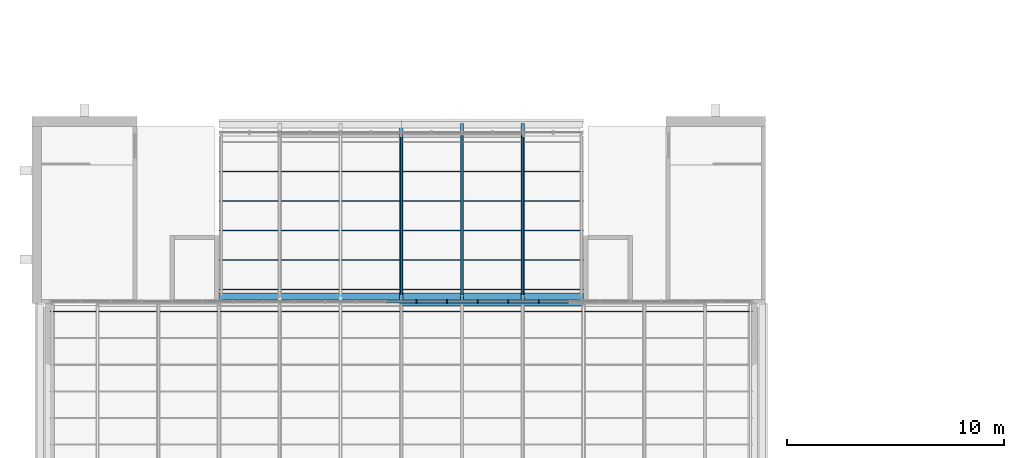
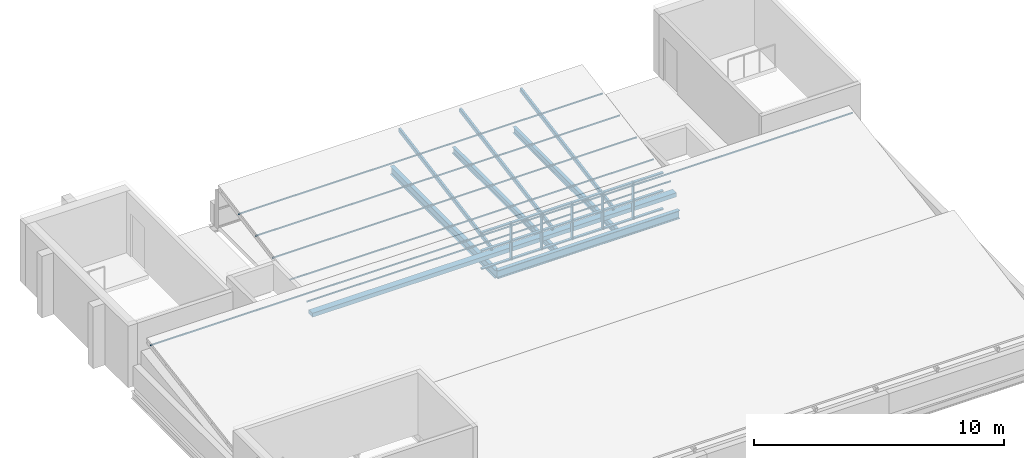
# One storey, part 12 of 42: 33 members, 4 beams, 1 element without a shape of its own.
"""IFC4 building model written with IfcOpenShell, lengths in metres."""

from ifc_helpers import new_model, si_unit, direction, frame, origin, origin_2d, place, context, subcontext, project, spatial, rectangle, hollow_rectangle, i_section, extrude, material, layer, layer_set, material_profile, profile_set, type_object, element, aggregate, save


model = new_model("IFC4")

# Units and contexts
model_context = context("Model", 3, precision=1e-05, world=origin(), true_north=direction((0.0, 1.0)))
body_context = subcontext(model_context, "Body", "Model", "MODEL_VIEW")
ifc_project = project(units=[si_unit("LENGTHUNIT", "METRE"), si_unit("AREAUNIT", "SQUARE_METRE"), si_unit("VOLUMEUNIT", "CUBIC_METRE"), si_unit("PLANEANGLEUNIT", "RADIAN"), si_unit("MASSUNIT", "GRAM", prefix="KILO")], contexts=[model_context])

# Site, building, storey
site_placement = place(None, origin())
site = spatial("IfcSite", under=ifc_project, at=site_placement, CompositionType="ELEMENT")
building_placement = place(site_placement, origin())
building = spatial("IfcBuilding", under=site, at=building_placement, Name="Ardhachandra Cancer Care Centre", CompositionType="ELEMENT")
storey_placement = place(building_placement, frame((0.0, 0.0, 22.5)))
storey = spatial("IfcBuildingStorey", under=building, at=storey_placement, Name="L05", CompositionType="ELEMENT", Elevation=22.5)

# Beams
ifc_material_1 = material(Name="Steel E350 (IS 2062)", Category="steel")
ifc_material_profile_1 = material_profile(ifc_material_1, i_section(OverallWidth=0.152099609375, OverallDepth=0.303955078125, WebThickness=0.008056640625, FlangeThickness=0.0126953125, FilletRadius=0.014892578125, at=origin_2d()), Name="NPB 300x150x49.32")
ifc_profile_set_1 = profile_set([ifc_material_profile_1], Name="Steel E350 (IS 2062)")
beam_type_1 = type_object("IfcBeamType", Name="Beam NPB 300x150x49.32", PredefinedType="BEAM", material=ifc_profile_set_1)
for number, where, z_axis, x_axis, name in (
    (1, (30.39990234375, 88.2900390625, -0.35205078125), (0.0, 1.0, 0.0), (-1.0, 0.0, 0.0), "Secondary K3-L3@2800"),
    (2, (33.199951171875, 88.2900390625, -0.35205078125), (0.0, 1.0, 0.0), (-1.0, 0.0, 0.0), "Secondary K3-L3@5600"),
):
    element("IfcBeam", number, at=place(storey_placement, frame(where, z_axis=z_axis, x_axis=x_axis)), inside=storey, type_object=beam_type_1, Name=name, PredefinedType="BEAM", context=body_context, shape_type="SweptSolid", body=[
        extrude(i_section(OverallWidth=0.152099609375, OverallDepth=0.303955078125, WebThickness=0.008056640625, FlangeThickness=0.0126953125, FilletRadius=0.014892578125, at=origin_2d()), origin(), (0.0, 0.0, 1.0), 8.223876953125),
    ])
ifc_material_2 = material(Name="Steel E350 (IS 2062)", Category="steel")
ifc_material_profile_2 = material_profile(ifc_material_2, i_section(OverallWidth=0.179931640625, OverallDepth=0.39990234375, WebThickness=0.008544921875, FlangeThickness=0.013427734375, FilletRadius=0.02099609375, at=origin_2d()), Name="NPB 400x180x66.30")
ifc_profile_set_2 = profile_set([ifc_material_profile_2], Name="Steel E350 (IS 2062)")
beam_type_2 = type_object("IfcBeamType", Name="Beam NPB 400x180x66.30", PredefinedType="BEAM", material=ifc_profile_set_2)
beam_1_placement = place(storey_placement, frame((27.60009765625, 88.199951171875, -0.39990234375), z_axis=(1.0, 0.0, 0.0), x_axis=(0.0, 1.0, 0.0)))
element("IfcBeam", 3, at=beam_1_placement, inside=storey, type_object=beam_type_2, Name="Girder K3-K4", PredefinedType="BEAM", context=body_context, shape_type="SweptSolid", body=[
    extrude(i_section(OverallWidth=0.179931640625, OverallDepth=0.39990234375, WebThickness=0.008544921875, FlangeThickness=0.013427734375, FilletRadius=0.02099609375, at=origin_2d()), origin(), (0.0, 0.0, 1.0), 8.39990234375),
])
beam_2_placement = place(storey_placement, frame((27.60009765625, 88.199951171875, -0.39990234375), z_axis=(0.0, 1.0, 0.0), x_axis=(-1.0, 0.0, 0.0)))
element("IfcBeam", 4, at=beam_2_placement, inside=storey, type_object=beam_type_2, Name="Girder K3-L3", PredefinedType="BEAM", context=body_context, shape_type="SweptSolid", body=[
    extrude(i_section(OverallWidth=0.179931640625, OverallDepth=0.39990234375, WebThickness=0.008544921875, FlangeThickness=0.013427734375, FilletRadius=0.02099609375, at=origin_2d()), origin(), (0.0, 0.0, 1.0), 8.400146484375),
])

# Curtain wall, members
ifc_material_3 = material(Name="Aluminium extrusion", Category="aluminium")
ifc_layer = layer(ifc_material_3, 0.14990234375)
ifc_layer_set = layer_set([ifc_layer], Name="Aluminium extrusion")
curtain_wall_type = type_object("IfcCurtainWallType", Name="Curtain wall run", PredefinedType="NOTDEFINED", material=ifc_layer_set)
curtain_wall_placement = place(storey_placement, origin())
curtain_wall = element("IfcCurtainWall", 5, at=curtain_wall_placement, inside=storey, type_object=curtain_wall_type, Name="Curtain wall L05 n/0011400_0088300", PredefinedType="NOTDEFINED")
ifc_material_4 = material(Name="Aluminium extrusion", Category="aluminium")
ifc_material_profile_3 = material_profile(ifc_material_4, rectangle(XDim=0.159912109375, YDim=0.06005859375, at=origin_2d()), Name="Curtain wall mullion 60 x 160")
ifc_profile_set_3 = profile_set([ifc_material_profile_3], Name="Aluminium extrusion")
member_type_1 = type_object("IfcMemberType", Name="Curtain wall mullion 60 x 160", PredefinedType="MULLION", material=ifc_profile_set_3)
member_1_placement = place(storey_placement, frame((28.304443359375, 88.300048828125, 0.0), z_axis=(0.0, 0.0, 1.0), x_axis=(0.0, 1.0, 0.0)))
member_1 = element("IfcMember", 6, at=member_1_placement, type_object=member_type_1, Name="CW mullion 13", PredefinedType="MULLION", context=body_context, shape_type="SweptSolid", body=[
    extrude(rectangle(XDim=0.159912109375, YDim=0.06005859375, at=origin_2d()), origin(), (0.0, 0.0, 1.0), 1.820068359375),
])
member_2_placement = place(storey_placement, frame((29.713134765625, 88.300048828125, 0.0), z_axis=(0.0, 0.0, 1.0), x_axis=(0.0, 1.0, 0.0)))
member_2 = element("IfcMember", 7, at=member_2_placement, type_object=member_type_1, Name="CW mullion 14", PredefinedType="MULLION", context=body_context, shape_type="SweptSolid", body=[
    extrude(rectangle(XDim=0.159912109375, YDim=0.06005859375, at=origin_2d()), origin(), (0.0, 0.0, 1.0), 1.820068359375),
])
member_3_placement = place(storey_placement, frame((31.121826171875, 88.300048828125, 0.0), z_axis=(0.0, 0.0, 1.0), x_axis=(0.0, 1.0, 0.0)))
member_3 = element("IfcMember", 8, at=member_3_placement, type_object=member_type_1, Name="CW mullion 15", PredefinedType="MULLION", context=body_context, shape_type="SweptSolid", body=[
    extrude(rectangle(XDim=0.159912109375, YDim=0.06005859375, at=origin_2d()), origin(), (0.0, 0.0, 1.0), 1.820068359375),
])
member_4_placement = place(storey_placement, frame((32.530517578125, 88.300048828125, 0.0), z_axis=(0.0, 0.0, 1.0), x_axis=(0.0, 1.0, 0.0)))
member_4 = element("IfcMember", 9, at=member_4_placement, type_object=member_type_1, Name="CW mullion 16", PredefinedType="MULLION", context=body_context, shape_type="SweptSolid", body=[
    extrude(rectangle(XDim=0.159912109375, YDim=0.06005859375, at=origin_2d()), origin(), (0.0, 0.0, 1.0), 1.820068359375),
])
member_5_placement = place(storey_placement, frame((33.939208984375, 88.300048828125, 0.0), z_axis=(0.0, 0.0, 1.0), x_axis=(0.0, 1.0, 0.0)))
member_5 = element("IfcMember", 10, at=member_5_placement, type_object=member_type_1, Name="CW mullion 17", PredefinedType="MULLION", context=body_context, shape_type="SweptSolid", body=[
    extrude(rectangle(XDim=0.159912109375, YDim=0.06005859375, at=origin_2d()), origin(), (0.0, 0.0, 1.0), 1.820068359375),
])
ifc_material_5 = material(Name="Aluminium extrusion", Category="aluminium")
ifc_material_profile_4 = material_profile(ifc_material_5, rectangle(XDim=0.1201171875, YDim=0.06005859375, at=origin_2d()), Name="Curtain wall transom 60 x 120")
ifc_profile_set_4 = profile_set([ifc_material_profile_4], Name="Aluminium extrusion")
member_type_2 = type_object("IfcMemberType", Name="Curtain wall transom 60 x 120", PredefinedType="USERDEFINED", material=ifc_profile_set_4)
member_6_placement = place(storey_placement, frame((26.925537109375, 88.300048828125, 0.030029296875), z_axis=(1.0, 0.0, 0.0), x_axis=(0.0, 1.0, 0.0)))
member_6 = element("IfcMember", 11, at=member_6_placement, type_object=member_type_2, Name="CW transom 12.1", ObjectType="TRANSOM", PredefinedType="USERDEFINED", context=body_context, shape_type="SweptSolid", body=[
    extrude(rectangle(XDim=0.1201171875, YDim=0.06005859375, at=origin_2d()), origin(), (0.0, 0.0, 1.0), 1.348876953125),
])
member_7_placement = place(storey_placement, frame((26.925537109375, 88.300048828125, 0.909912109375), z_axis=(1.0, 0.0, 0.0), x_axis=(0.0, 1.0, 0.0)))
member_7 = element("IfcMember", 12, at=member_7_placement, type_object=member_type_2, Name="CW transom 12.2", ObjectType="TRANSOM", PredefinedType="USERDEFINED", context=body_context, shape_type="SweptSolid", body=[
    extrude(rectangle(XDim=0.1201171875, YDim=0.06005859375, at=origin_2d()), origin(), (0.0, 0.0, 1.0), 1.348876953125),
])
member_8_placement = place(storey_placement, frame((26.925537109375, 88.300048828125, 1.7900390625), z_axis=(1.0, 0.0, 0.0), x_axis=(0.0, 1.0, 0.0)))
member_8 = element("IfcMember", 13, at=member_8_placement, type_object=member_type_2, Name="CW transom 12.3", ObjectType="TRANSOM", PredefinedType="USERDEFINED", context=body_context, shape_type="SweptSolid", body=[
    extrude(rectangle(XDim=0.1201171875, YDim=0.06005859375, at=origin_2d()), origin(), (0.0, 0.0, 1.0), 1.348876953125),
])
member_9_placement = place(storey_placement, frame((28.334228515625, 88.300048828125, 0.030029296875), z_axis=(1.0, 0.0, 0.0), x_axis=(0.0, 1.0, 0.0)))
member_9 = element("IfcMember", 14, at=member_9_placement, type_object=member_type_2, Name="CW transom 13.1", ObjectType="TRANSOM", PredefinedType="USERDEFINED", context=body_context, shape_type="SweptSolid", body=[
    extrude(rectangle(XDim=0.1201171875, YDim=0.06005859375, at=origin_2d()), origin(), (0.0, 0.0, 1.0), 1.348876953125),
])
member_10_placement = place(storey_placement, frame((28.334228515625, 88.300048828125, 0.909912109375), z_axis=(1.0, 0.0, 0.0), x_axis=(0.0, 1.0, 0.0)))
member_10 = element("IfcMember", 15, at=member_10_placement, type_object=member_type_2, Name="CW transom 13.2", ObjectType="TRANSOM", PredefinedType="USERDEFINED", context=body_context, shape_type="SweptSolid", body=[
    extrude(rectangle(XDim=0.1201171875, YDim=0.06005859375, at=origin_2d()), origin(), (0.0, 0.0, 1.0), 1.348876953125),
])
member_11_placement = place(storey_placement, frame((28.334228515625, 88.300048828125, 1.7900390625), z_axis=(1.0, 0.0, 0.0), x_axis=(0.0, 1.0, 0.0)))
member_11 = element("IfcMember", 16, at=member_11_placement, type_object=member_type_2, Name="CW transom 13.3", ObjectType="TRANSOM", PredefinedType="USERDEFINED", context=body_context, shape_type="SweptSolid", body=[
    extrude(rectangle(XDim=0.1201171875, YDim=0.06005859375, at=origin_2d()), origin(), (0.0, 0.0, 1.0), 1.348876953125),
])
member_12_placement = place(storey_placement, frame((29.7431640625, 88.300048828125, 0.030029296875), z_axis=(1.0, 0.0, 0.0), x_axis=(0.0, 1.0, 0.0)))
member_12 = element("IfcMember", 17, at=member_12_placement, type_object=member_type_2, Name="CW transom 14.1", ObjectType="TRANSOM", PredefinedType="USERDEFINED", context=body_context, shape_type="SweptSolid", body=[
    extrude(rectangle(XDim=0.1201171875, YDim=0.06005859375, at=origin_2d()), origin(), (0.0, 0.0, 1.0), 1.3486328125),
])
member_13_placement = place(storey_placement, frame((29.7431640625, 88.300048828125, 0.909912109375), z_axis=(1.0, 0.0, 0.0), x_axis=(0.0, 1.0, 0.0)))
member_13 = element("IfcMember", 18, at=member_13_placement, type_object=member_type_2, Name="CW transom 14.2", ObjectType="TRANSOM", PredefinedType="USERDEFINED", context=body_context, shape_type="SweptSolid", body=[
    extrude(rectangle(XDim=0.1201171875, YDim=0.06005859375, at=origin_2d()), origin(), (0.0, 0.0, 1.0), 1.3486328125),
])
member_14_placement = place(storey_placement, frame((29.7431640625, 88.300048828125, 1.7900390625), z_axis=(1.0, 0.0, 0.0), x_axis=(0.0, 1.0, 0.0)))
member_14 = element("IfcMember", 19, at=member_14_placement, type_object=member_type_2, Name="CW transom 14.3", ObjectType="TRANSOM", PredefinedType="USERDEFINED", context=body_context, shape_type="SweptSolid", body=[
    extrude(rectangle(XDim=0.1201171875, YDim=0.06005859375, at=origin_2d()), origin(), (0.0, 0.0, 1.0), 1.3486328125),
])
member_15_placement = place(storey_placement, frame((31.15185546875, 88.300048828125, 0.030029296875), z_axis=(1.0, 0.0, 0.0), x_axis=(0.0, 1.0, 0.0)))
member_15 = element("IfcMember", 20, at=member_15_placement, type_object=member_type_2, Name="CW transom 15.1", ObjectType="TRANSOM", PredefinedType="USERDEFINED", context=body_context, shape_type="SweptSolid", body=[
    extrude(rectangle(XDim=0.1201171875, YDim=0.06005859375, at=origin_2d()), origin(), (0.0, 0.0, 1.0), 1.3486328125),
])
member_16_placement = place(storey_placement, frame((31.15185546875, 88.300048828125, 0.909912109375), z_axis=(1.0, 0.0, 0.0), x_axis=(0.0, 1.0, 0.0)))
member_16 = element("IfcMember", 21, at=member_16_placement, type_object=member_type_2, Name="CW transom 15.2", ObjectType="TRANSOM", PredefinedType="USERDEFINED", context=body_context, shape_type="SweptSolid", body=[
    extrude(rectangle(XDim=0.1201171875, YDim=0.06005859375, at=origin_2d()), origin(), (0.0, 0.0, 1.0), 1.3486328125),
])
member_17_placement = place(storey_placement, frame((31.15185546875, 88.300048828125, 1.7900390625), z_axis=(1.0, 0.0, 0.0), x_axis=(0.0, 1.0, 0.0)))
member_17 = element("IfcMember", 22, at=member_17_placement, type_object=member_type_2, Name="CW transom 15.3", ObjectType="TRANSOM", PredefinedType="USERDEFINED", context=body_context, shape_type="SweptSolid", body=[
    extrude(rectangle(XDim=0.1201171875, YDim=0.06005859375, at=origin_2d()), origin(), (0.0, 0.0, 1.0), 1.3486328125),
])
member_18_placement = place(storey_placement, frame((32.560546875, 88.300048828125, 0.030029296875), z_axis=(1.0, 0.0, 0.0), x_axis=(0.0, 1.0, 0.0)))
member_18 = element("IfcMember", 23, at=member_18_placement, type_object=member_type_2, Name="CW transom 16.1", ObjectType="TRANSOM", PredefinedType="USERDEFINED", context=body_context, shape_type="SweptSolid", body=[
    extrude(rectangle(XDim=0.1201171875, YDim=0.06005859375, at=origin_2d()), origin(), (0.0, 0.0, 1.0), 1.3486328125),
])
member_19_placement = place(storey_placement, frame((32.560546875, 88.300048828125, 0.909912109375), z_axis=(1.0, 0.0, 0.0), x_axis=(0.0, 1.0, 0.0)))
member_19 = element("IfcMember", 24, at=member_19_placement, type_object=member_type_2, Name="CW transom 16.2", ObjectType="TRANSOM", PredefinedType="USERDEFINED", context=body_context, shape_type="SweptSolid", body=[
    extrude(rectangle(XDim=0.1201171875, YDim=0.06005859375, at=origin_2d()), origin(), (0.0, 0.0, 1.0), 1.3486328125),
])
member_20_placement = place(storey_placement, frame((32.560546875, 88.300048828125, 1.7900390625), z_axis=(1.0, 0.0, 0.0), x_axis=(0.0, 1.0, 0.0)))
member_20 = element("IfcMember", 25, at=member_20_placement, type_object=member_type_2, Name="CW transom 16.3", ObjectType="TRANSOM", PredefinedType="USERDEFINED", context=body_context, shape_type="SweptSolid", body=[
    extrude(rectangle(XDim=0.1201171875, YDim=0.06005859375, at=origin_2d()), origin(), (0.0, 0.0, 1.0), 1.3486328125),
])
member_21_placement = place(storey_placement, frame((33.96923828125, 88.300048828125, 0.030029296875), z_axis=(1.0, 0.0, 0.0), x_axis=(0.0, 1.0, 0.0)))
member_21 = element("IfcMember", 26, at=member_21_placement, type_object=member_type_2, Name="CW transom 17.1", ObjectType="TRANSOM", PredefinedType="USERDEFINED", context=body_context, shape_type="SweptSolid", body=[
    extrude(rectangle(XDim=0.1201171875, YDim=0.06005859375, at=origin_2d()), origin(), (0.0, 0.0, 1.0), 1.3486328125),
])
member_22_placement = place(storey_placement, frame((33.96923828125, 88.300048828125, 0.909912109375), z_axis=(1.0, 0.0, 0.0), x_axis=(0.0, 1.0, 0.0)))
member_22 = element("IfcMember", 27, at=member_22_placement, type_object=member_type_2, Name="CW transom 17.2", ObjectType="TRANSOM", PredefinedType="USERDEFINED", context=body_context, shape_type="SweptSolid", body=[
    extrude(rectangle(XDim=0.1201171875, YDim=0.06005859375, at=origin_2d()), origin(), (0.0, 0.0, 1.0), 1.3486328125),
])
member_23_placement = place(storey_placement, frame((33.96923828125, 88.300048828125, 1.7900390625), z_axis=(1.0, 0.0, 0.0), x_axis=(0.0, 1.0, 0.0)))
member_23 = element("IfcMember", 28, at=member_23_placement, type_object=member_type_2, Name="CW transom 17.3", ObjectType="TRANSOM", PredefinedType="USERDEFINED", context=body_context, shape_type="SweptSolid", body=[
    extrude(rectangle(XDim=0.1201171875, YDim=0.06005859375, at=origin_2d()), origin(), (0.0, 0.0, 1.0), 1.3486328125),
])
aggregate(curtain_wall, [member_1, member_2, member_3, member_4, member_5, member_6, member_7, member_8, member_9, member_10, member_11, member_12, member_13, member_14, member_15, member_16, member_17, member_18, member_19, member_20, member_21, member_22, member_23])

# Members
ifc_material_6 = material(Name="Steel E350 (IS 2062)", Category="steel")
ifc_material_profile_5 = material_profile(ifc_material_6, hollow_rectangle(XDim=0.0400390625, YDim=0.080078125, WallThickness=0.00390625, InnerFilletRadius=0.00390625, OuterFilletRadius=0.008056640625, at=origin_2d()), Name="RHS 80x40x4.0")
ifc_profile_set_5 = profile_set([ifc_material_profile_5], Name="Steel E350 (IS 2062)")
member_type_3 = type_object("IfcMemberType", Name="Roof purlin RHS 80x40x4.0", PredefinedType="PURLIN", material=ifc_profile_set_5)
member_24_placement = place(storey_placement, frame((11.39990234375, 87.8408203125, 2.00390625), z_axis=(1.0, 0.0, 0.0), x_axis=(0.0, 0.986659291142, 0.162798781332)))
element("IfcMember", 29, at=member_24_placement, inside=storey, type_object=member_type_3, Name="Purlin NT2a.7", PredefinedType="PURLIN", context=body_context, shape_type="SweptSolid", body=[
    extrude(hollow_rectangle(XDim=0.0400390625, YDim=0.080078125, WallThickness=0.00390625, InnerFilletRadius=0.00390625, OuterFilletRadius=0.008056640625, at=origin_2d()), origin(), (0.0, 0.0, 1.0), 32.400146484375),
])
for number, where, z_axis, x_axis, name in (
    (30, (19.199951171875, 88.853759765625, 0.7890625), (1.0, 0.0, 0.0), (0.0, 0.984460447526, 0.175606455623), "Purlin NT3a.1"),
    (31, (19.199951171875, 90.21533203125, 1.031982421875), (1.0, 0.0, 0.0), (0.0, 0.984460447526, 0.175606455623), "Purlin NT3a.2"),
    (32, (19.199951171875, 91.5771484375, 1.27490234375), (1.0, 0.0, 0.0), (0.0, 0.984460447526, 0.175606455623), "Purlin NT3a.3"),
    (33, (19.199951171875, 92.938720703125, 1.517822265625), (1.0, 0.0, 0.0), (0.0, 0.984460447526, 0.175606455623), "Purlin NT3a.4"),
    (34, (19.199951171875, 94.30029296875, 1.760498046875), (1.0, 0.0, 0.0), (0.0, 0.984460447526, 0.175606455623), "Purlin NT3a.5"),
):
    element("IfcMember", number, at=place(storey_placement, frame(where, z_axis=z_axis, x_axis=x_axis)), inside=storey, type_object=member_type_3, Name=name, PredefinedType="PURLIN", context=body_context, shape_type="SweptSolid", body=[
        extrude(hollow_rectangle(XDim=0.0400390625, YDim=0.080078125, WallThickness=0.00390625, InnerFilletRadius=0.00390625, OuterFilletRadius=0.008056640625, at=origin_2d()), origin(), (0.0, 0.0, 1.0), 16.800048828125),
    ])
ifc_material_7 = material(Name="Steel E350 (IS 2062)", Category="steel")
ifc_material_profile_6 = material_profile(ifc_material_7, hollow_rectangle(XDim=0.10009765625, YDim=0.199951171875, WallThickness=0.006103515625, InnerFilletRadius=0.006103515625, OuterFilletRadius=0.011962890625, at=origin_2d()), Name="RHS 200x100x6.0")
ifc_profile_set_6 = profile_set([ifc_material_profile_6], Name="Steel E350 (IS 2062)")
member_type_4 = type_object("IfcMemberType", Name="Roof rafter RHS 200x100x6.0", PredefinedType="RAFTER", material=ifc_profile_set_6)
for number, where, z_axis, x_axis, name in (
    (35, (27.60009765625, 88.58251953125, 0.598388671875), (0.0, 0.984458474177, 0.175617517977), (-1.0, 0.0, 0.0), "Rafter NT3a.4"),
    (36, (30.39990234375, 88.58251953125, 0.598388671875), (0.0, 0.984458474177, 0.175617517977), (-1.0, 0.0, 0.0), "Rafter NT3a.5"),
    (37, (33.199951171875, 88.58251953125, 0.598388671875), (0.0, 0.984458474177, 0.175617517977), (-1.0, 0.0, 0.0), "Rafter NT3a.6"),
):
    element("IfcMember", number, at=place(storey_placement, frame(where, z_axis=z_axis, x_axis=x_axis)), inside=storey, type_object=member_type_4, Name=name, PredefinedType="RAFTER", context=body_context, shape_type="SweptSolid", body=[
        extrude(hollow_rectangle(XDim=0.10009765625, YDim=0.199951171875, WallThickness=0.006103515625, InnerFilletRadius=0.006103515625, OuterFilletRadius=0.011962890625, at=origin_2d()), origin(), (0.0, 0.0, 1.0), 7.516845703125),
    ])
ifc_material_8 = material(Name="Stainless steel sheet gutter on galvanised steel cradle", Category="steel")
ifc_material_profile_7 = material_profile(ifc_material_8, rectangle(XDim=0.300048828125, YDim=0.199951171875, at=origin_2d()), Name="Valley gutter 300 x 200")
ifc_profile_set_7 = profile_set([ifc_material_profile_7], Name="Stainless steel sheet gutter on galvanised steel cradle")
member_type_5 = type_object("IfcMemberType", Name="Valley gutter 300 x 200", PredefinedType="USERDEFINED", material=ifc_profile_set_7)
member_25_placement = place(storey_placement, frame((19.199951171875, 88.5400390625, 0.39990234375), z_axis=(1.0, 0.0, 0.0), x_axis=(0.0, 1.0, 0.0)))
element("IfcMember", 38, at=member_25_placement, inside=storey, type_object=member_type_5, Name="Valley gutter NT3a", ObjectType="GUTTER", PredefinedType="USERDEFINED", context=body_context, shape_type="SweptSolid", body=[
    extrude(rectangle(XDim=0.300048828125, YDim=0.199951171875, at=origin_2d()), origin(), (0.0, 0.0, 1.0), 16.800048828125),
])

save(model, "model.ifc")
